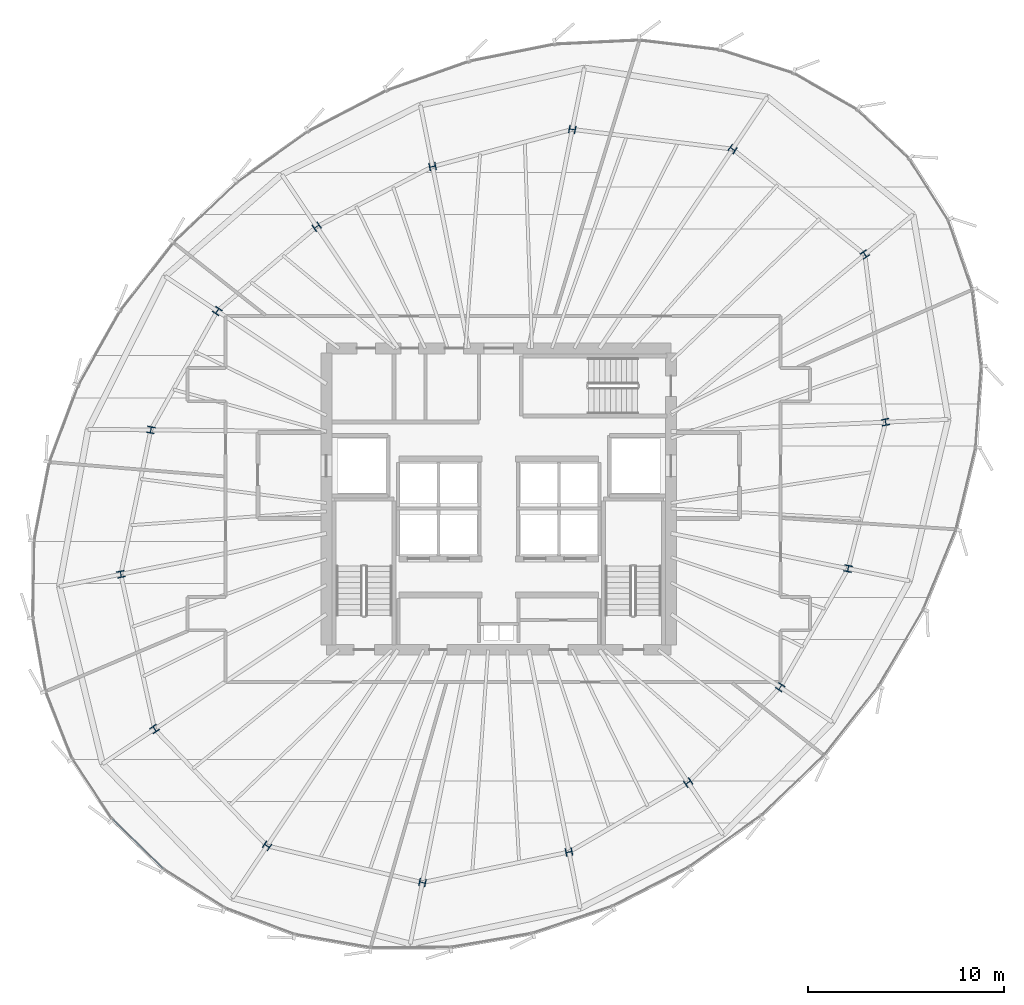
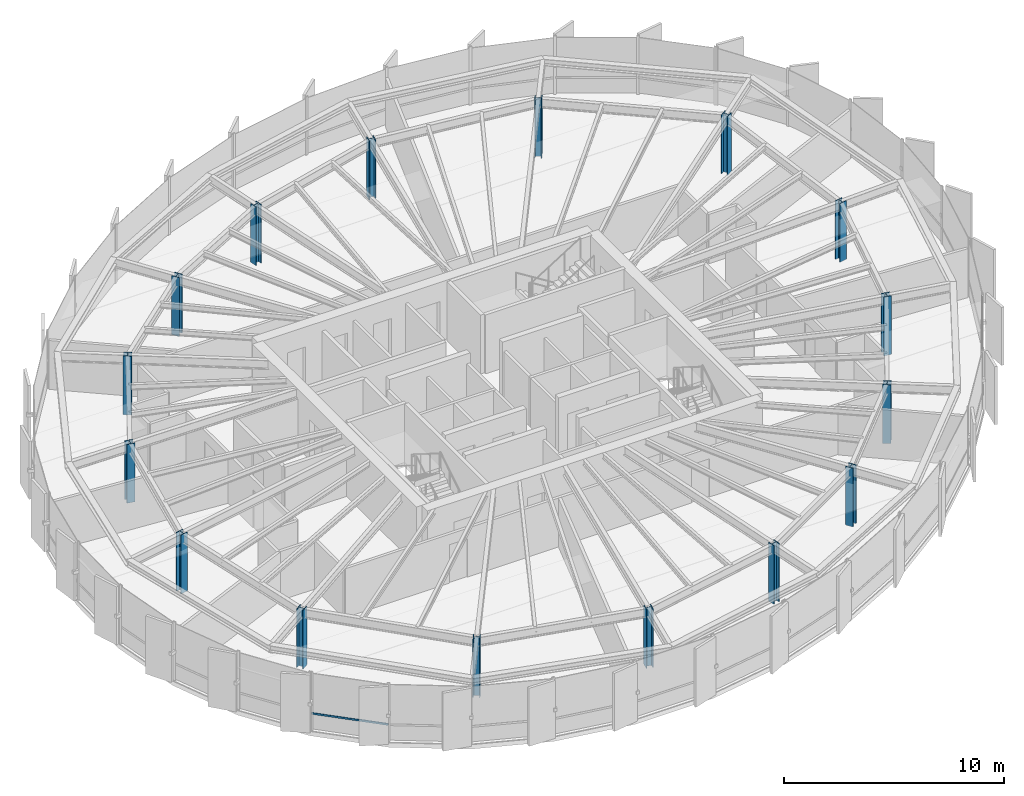
# One storey, part 1 of 35: 16 columns, 1 member, 1 element without a shape of its own.
"""IFC4 building model written with IfcOpenShell, lengths in metres."""

from ifc_helpers import new_model, si_unit, direction, frame, origin, origin_2d, place, context, subcontext, project, spatial, hollow_rectangle, i_section, extrude, source, transform, mapped, material, layer, layer_set, material_profile, profile_set, type_object, element, aggregate, save


model = new_model("IFC4")

# Units and contexts
model_context = context("Model", 3, precision=1e-05, world=origin(), true_north=direction((0.0, 1.0)))
body_context = subcontext(model_context, "Body", "Model", "MODEL_VIEW")
ifc_project = project(units=[si_unit("LENGTHUNIT", "METRE"), si_unit("AREAUNIT", "SQUARE_METRE"), si_unit("VOLUMEUNIT", "CUBIC_METRE"), si_unit("PLANEANGLEUNIT", "RADIAN"), si_unit("MASSUNIT", "GRAM", prefix="KILO"), si_unit("THERMODYNAMICTEMPERATUREUNIT", "KELVIN")], contexts=[model_context])

# Site, building, storey
site_placement = place(None, origin())
site = spatial("IfcSite", under=ifc_project, at=site_placement, CompositionType="ELEMENT")
building_placement = place(site_placement, origin())
building = spatial("IfcBuilding", under=site, at=building_placement, Name="Kethvar Cultural Tower", CompositionType="ELEMENT")
storey_placement = place(building_placement, frame((0.0, 0.0, 193.89990234375)))
storey = spatial("IfcBuildingStorey", under=building, at=storey_placement, Name="L50", CompositionType="ELEMENT", Elevation=193.89990234375)

# Columns
ifc_material_1 = material(Name="Steel S460M", Category="steel")
ifc_material_profile_1 = material_profile(ifc_material_1, i_section(OverallWidth=0.39111328125, OverallDepth=0.3349609375, WebThickness=0.022705078125, FlangeThickness=0.033935546875, FilletRadius=0.014892578125, at=origin_2d()), Name="Steel S460M — HD400x463")
ifc_profile_set_1 = profile_set([ifc_material_profile_1], Name="Steel S460M — HD400x463")
column_type = type_object("IfcColumnType", Name="COL-HD463", PredefinedType="COLUMN", material=ifc_profile_set_1)
shared_shape_1 = source(origin(), body_context, "Body", "SweptSolid", [
    extrude(i_section(OverallWidth=0.39111328125, OverallDepth=0.3349609375, WebThickness=0.022705078125, FlangeThickness=0.033935546875, FilletRadius=0.014892578125, at=origin_2d()), origin(), (0.0, 0.0, 1.0), 3.260009765625),
])
for number, where, z_axis, x_axis, name in (
    (1, (66.56396484375, 31.731201171875, 0.0), (0.0, 0.0, 1.0), (0.980785280403, 0.195090322016, 0.0), "L50 Mega-Column MC-01"),
    (2, (65.504150390625, 40.297607421875, 0.0), (0.0, 0.0, 1.0), (0.831469612303, 0.55557023302, 0.0), "L50 Mega-Column MC-02"),
    (3, (58.748046875, 45.681396484375, 0.0), (0.0, 0.0, 1.0), (0.55557023302, 0.831469612303, 0.0), "L50 Mega-Column MC-03"),
    (4, (50.556884765625, 46.6875, 0.0), (0.0, 0.0, 1.0), (0.195090322016, 0.980785280403, 0.0), "L50 Mega-Column MC-04"),
    (5, (43.420654296875, 44.789306640625, 0.0), (0.0, 0.0, 1.0), (-0.195090322016, 0.980785280403, 0.0), "L50 Mega-Column MC-05"),
    (6, (37.498779296875, 41.720458984375, 0.0), (0.0, 0.0, 1.0), (-0.55557023302, 0.831469612303, 0.0), "L50 Mega-Column MC-06"),
    (7, (32.418212890625, 37.409423828125, 0.0), (0.0, 0.0, 1.0), (-0.831469612303, 0.55557023302, 0.0), "L50 Mega-Column MC-07"),
    (8, (29.02490234375, 31.335693359375, 0.0), (0.0, 0.0, 1.0), (-0.980785280403, 0.195090322016, 0.0), "L50 Mega-Column MC-08"),
    (9, (27.492919921875, 23.959716796875, 0.0), (0.0, 0.0, 1.0), (-0.980785280403, -0.195090322016, 0.0), "L50 Mega-Column MC-09"),
    (10, (29.217529296875, 16.0517578125, 0.0), (0.0, 0.0, 1.0), (-0.831469612303, -0.55557023302, 0.0), "L50 Mega-Column MC-10"),
    (11, (34.962646484375, 10.084228515625, 0.0), (0.0, 0.0, 1.0), (-0.55557023302, -0.831469612303, 0.0), "L50 Mega-Column MC-11"),
    (12, (42.903564453125, 8.2109375, 0.0), (0.0, 0.0, 1.0), (-0.195090322016, -0.980785280403, 0.0), "L50 Mega-Column MC-12"),
    (13, (50.38671875, 9.7685546875, 0.0), (0.0, 0.0, 1.0), (0.195090322016, -0.980785280403, 0.0), "L50 Mega-Column MC-13"),
    (14, (56.474609375, 13.32080078125, 0.0), (0.0, 0.0, 1.0), (0.55557023302, -0.831469612303, 0.0), "L50 Mega-Column MC-14"),
    (15, (61.1826171875, 18.18994140625, 0.0), (0.0, 0.0, 1.0), (0.831469612303, -0.55557023302, 0.0), "L50 Mega-Column MC-15"),
    (16, (64.648681640625, 24.249755859375, 0.0), (0.0, 0.0, 1.0), (0.980785280403, -0.195090322016, 0.0), "L50 Mega-Column MC-16"),
):
    element("IfcColumn", number, at=place(storey_placement, frame(where, z_axis=z_axis, x_axis=x_axis)), inside=storey, type_object=column_type, Name=name, PredefinedType="COLUMN", context=body_context, shape_type="MappedRepresentation", body=[
        mapped(shared_shape_1, transform((0.0, 0.0, 0.0), scale=1.0)),
    ])

# Curtain wall, member
ifc_material_2 = material(Name="Aluminium 6063-T6", Category="aluminium")
ifc_layer = layer(ifc_material_2, 0.179931640625, Name="Aluminium 6063-T6", Category="aluminium")
ifc_layer_set = layer_set([ifc_layer], Name="Aluminium 6063-T6 (180 mm)")
curtain_wall_type = type_object("IfcCurtainWallType", Name="CW-SYS-04-Z34", PredefinedType="NOTDEFINED", material=ifc_layer_set)
curtain_wall_placement = place(storey_placement, origin())
curtain_wall = element("IfcCurtainWall", 17, at=curtain_wall_placement, inside=storey, type_object=curtain_wall_type, Name="L50 Curtain Wall Run 04", PredefinedType="NOTDEFINED")
ifc_material_profile_2 = material_profile(ifc_material_2, hollow_rectangle(XDim=0.050048828125, YDim=0.10009765625, WallThickness=0.00390625, at=origin_2d()), Name="Aluminium 6063-T6 — RHS100x50x4")
ifc_profile_set_2 = profile_set([ifc_material_profile_2], Name="Aluminium 6063-T6 — RHS100x50x4")
member_type = type_object("IfcMemberType", Name="CW-SYS-04-Z34-TRN", PredefinedType="USERDEFINED", material=ifc_profile_set_2)
shared_shape_2 = source(origin(), body_context, "Body", "SweptSolid", [
    extrude(hollow_rectangle(XDim=0.050048828125, YDim=0.10009765625, WallThickness=0.00390625, at=origin_2d()), origin(), (0.0, 0.0, 1.0), 3.597900390625),
])
member_placement = place(storey_placement, frame((27.076904296875, 11.44287109375, 0.9501953125), z_axis=(0.715604892849, -0.698505287976, 0.0), x_axis=(0.698505287976, 0.715604892849, 0.0)))
member = element("IfcMember", 18, at=member_placement, type_object=member_type, Name="CW-L50-R04 Transom 1", ObjectType="TRANSOM", PredefinedType="USERDEFINED", context=body_context, shape_type="MappedRepresentation", body=[
    mapped(shared_shape_2, transform((0.0, 0.0, 0.0), scale=1.0)),
])
aggregate(curtain_wall, [member])

save(model, "model.ifc")
